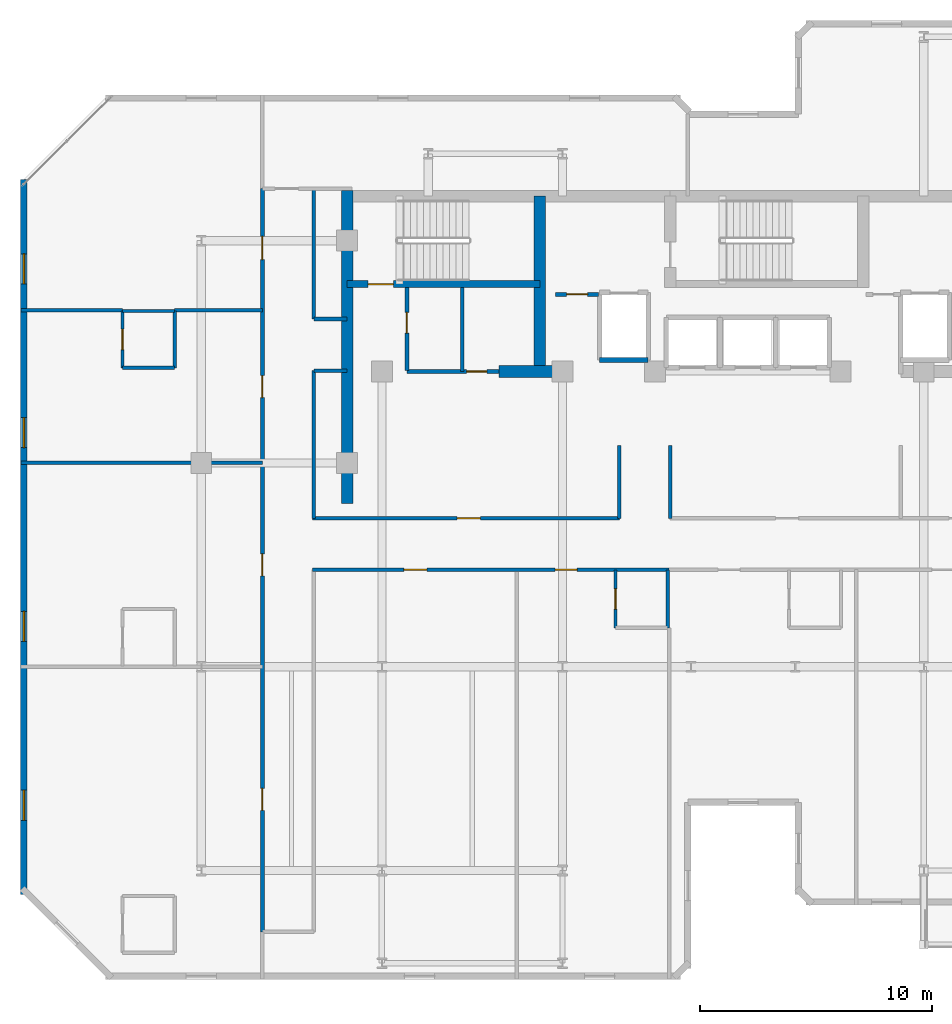
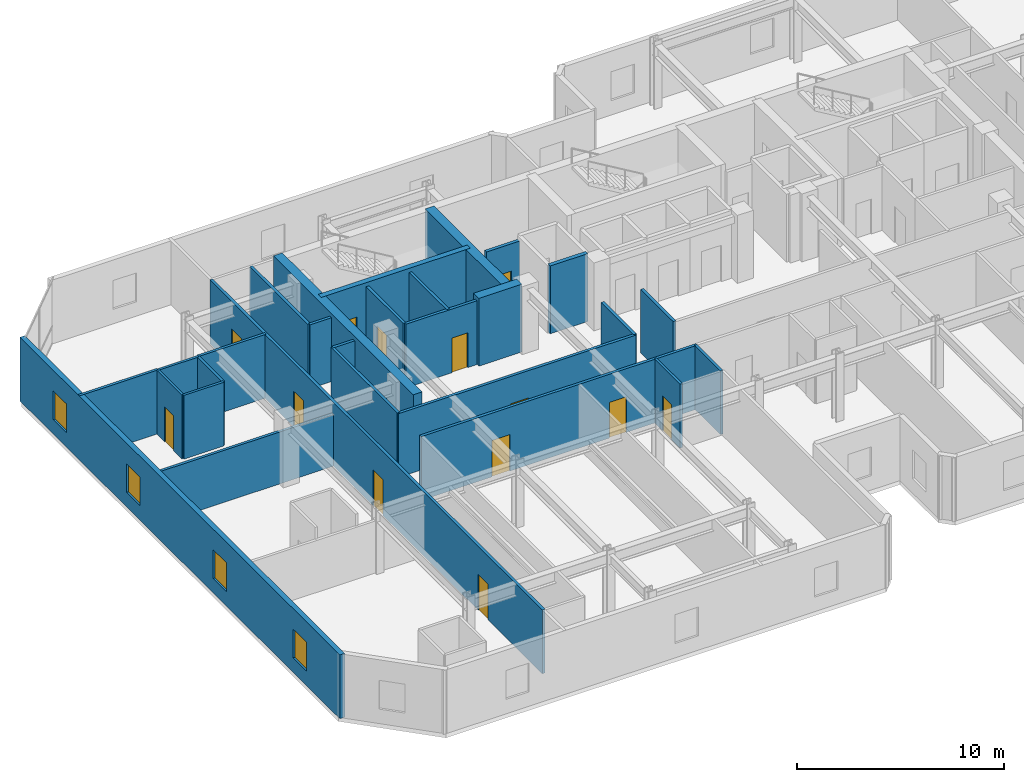
# One storey, part 4 of 11: 28 walls, 13 doors, 4 windows, 17 openings.
"""IFC4 building model written with IfcOpenShell, lengths in metres."""

from ifc_helpers import new_model, si_unit, direction, frame, frame_2d, origin, place, context, subcontext, project, spatial, rectangle, extrude, material, layer, layer_set, type_object, element, fill, save


model = new_model("IFC4")

# Units and contexts
model_context = context("Model", 3, precision=1e-05, world=origin(), true_north=direction((0.0, 1.0)))
body_context = subcontext(model_context, "Body", "Model", "MODEL_VIEW")
ifc_project = project(units=[si_unit("LENGTHUNIT", "METRE"), si_unit("AREAUNIT", "SQUARE_METRE"), si_unit("VOLUMEUNIT", "CUBIC_METRE"), si_unit("PLANEANGLEUNIT", "RADIAN"), si_unit("MASSUNIT", "GRAM", prefix="KILO")], contexts=[model_context])

# Site, building, storey
site_placement = place(None, origin())
site = spatial("IfcSite", under=ifc_project, at=site_placement, CompositionType="ELEMENT")
building_placement = place(site_placement, origin())
building = spatial("IfcBuilding", under=site, at=building_placement, Name="Kestravale Grand Hotel", CompositionType="ELEMENT")
storey_placement = place(building_placement, frame((0.0, 0.0, 265.39990234375)))
storey = spatial("IfcBuildingStorey", under=building, at=storey_placement, Name="L66", CompositionType="ELEMENT", Elevation=265.39990234375)

# Walls
ifc_material_1 = material(Name="Concrete f'c 50 MPa", Category="concrete")
ifc_layer_1 = layer(ifc_material_1, 0.5)
ifc_layer_set_1 = layer_set([ifc_layer_1], Name="EW-CORE-500")
wall_type_1 = type_object("IfcWallType", Name="EW-CORE-500", PredefinedType="SHEAR", material=ifc_layer_set_1)
wall_1_placement = place(storey_placement, frame((21.89990234375, 27.050048828125, 0.0), z_axis=(0.0, 0.0, 1.0), x_axis=(0.0, 1.0, 0.0)))
element("IfcWall", 1, at=wall_1_placement, inside=storey, type_object=wall_type_1, Name="L66 core shear wall W1", PredefinedType="SHEAR", context=body_context, shape_type="SweptSolid", body=[
    extrude(rectangle(XDim=13.52001953125, YDim=0.5, at=frame_2d((6.760009765625, 0.0))), origin(), (0.0, 0.0, 1.0), 4.0),
])
wall_2_placement = place(storey_placement, frame((28.449951171875, 32.75, 0.0), z_axis=(0.0, 0.0, 1.0), x_axis=(1.0, 0.0, 0.0)))
element("IfcWall", 2, at=wall_2_placement, inside=storey, type_object=wall_type_1, Name="L66 core shear wall S1", PredefinedType="SHEAR", context=body_context, shape_type="SweptSolid", body=[
    extrude(rectangle(XDim=2.400146484375, YDim=0.5, at=frame_2d((1.2001953125, 0.0))), origin(), (0.0, 0.0, 1.0), 4.0),
])
wall_3_placement = place(storey_placement, frame((30.219970703125, 33.0, 0.0), z_axis=(0.0, 0.0, 1.0), x_axis=(0.0, 1.0, 0.0)))
element("IfcWall", 3, at=wall_3_placement, inside=storey, type_object=wall_type_1, Name="L66 core shear wall X1", PredefinedType="SHEAR", context=body_context, shape_type="SweptSolid", body=[
    extrude(rectangle(XDim=7.320068359375, YDim=0.5, at=frame_2d((3.66015625, 0.0))), origin(), (0.0, 0.0, 1.0), 4.0),
])

# Wall, openings, windows
ifc_material_2 = material(Name="Precast concrete f'c 45 MPa", Category="concrete")
ifc_layer_2 = layer(ifc_material_2, 0.280029296875)
ifc_layer_set_2 = layer_set([ifc_layer_2], Name="EW-PREC-280")
wall_type_2 = type_object("IfcWallType", Name="EW-PREC-280", PredefinedType="SOLIDWALL", material=ifc_layer_set_2)
wall_4_placement = place(storey_placement, frame((7.93994140625, 41.0400390625, 0.0), z_axis=(0.0, 0.0, 1.0), x_axis=(0.0, -1.0, 0.0)))
wall_4 = element("IfcWall", 4, at=wall_4_placement, inside=storey, type_object=wall_type_2, Name="L66 fluted precast facade wall 19", PredefinedType="SOLIDWALL", context=body_context, shape_type="SweptSolid", body=[
    extrude(rectangle(XDim=30.880126953125, YDim=0.280029296875, at=frame_2d((15.43994140625, 0.0))), origin(), (0.0, 0.0, 1.0), 3.760009765625),
])
opening_1_placement = place(wall_4_placement, frame((3.2099609375, 0.0, 0.85009765625)))
opening_1 = element("IfcOpeningElement", 5, at=opening_1_placement, cuts=wall_4, Name="Opening W-GUEST-1300", PredefinedType="OPENING", context=body_context, shape_type="SweptSolid", body=[
    extrude(rectangle(XDim=1.300048828125, YDim=1.699951171875, at=frame_2d((0.64990234375, 0.85009765625))), frame((0.0, 0.14990234375, 0.0), z_axis=(0.0, -1.0, 0.0), x_axis=(1.0, 0.0, 0.0)), (0.0, 0.0, 1.0), 0.300048828125),
])
opening_2_placement = place(wall_4_placement, frame((10.280029296875, 0.0, 0.85009765625)))
opening_2 = element("IfcOpeningElement", 6, at=opening_2_placement, cuts=wall_4, Name="Opening W-GUEST-1300", PredefinedType="OPENING", context=body_context, shape_type="SweptSolid", body=[
    extrude(rectangle(XDim=1.300048828125, YDim=1.699951171875, at=frame_2d((0.64990234375, 0.85009765625))), frame((0.0, 0.14990234375, 0.0), z_axis=(0.0, -1.0, 0.0), x_axis=(1.0, 0.0, 0.0)), (0.0, 0.0, 1.0), 0.300048828125),
])
opening_3_placement = place(wall_4_placement, frame((18.64990234375, 0.0, 0.85009765625)))
opening_3 = element("IfcOpeningElement", 7, at=opening_3_placement, cuts=wall_4, Name="Opening W-GUEST-1300", PredefinedType="OPENING", context=body_context, shape_type="SweptSolid", body=[
    extrude(rectangle(XDim=1.300048828125, YDim=1.699951171875, at=frame_2d((0.64990234375, 0.85009765625))), frame((0.0, 0.14990234375, 0.0), z_axis=(0.0, -1.0, 0.0), x_axis=(1.0, 0.0, 0.0)), (0.0, 0.0, 1.0), 0.300048828125),
])
opening_4_placement = place(wall_4_placement, frame((26.3701171875, 0.0, 0.85009765625)))
opening_4 = element("IfcOpeningElement", 8, at=opening_4_placement, cuts=wall_4, Name="Opening W-GUEST-1300", PredefinedType="OPENING", context=body_context, shape_type="SweptSolid", body=[
    extrude(rectangle(XDim=1.300048828125, YDim=1.699951171875, at=frame_2d((0.64990234375, 0.85009765625))), frame((0.0, 0.14990234375, 0.0), z_axis=(0.0, -1.0, 0.0), x_axis=(1.0, 0.0, 0.0)), (0.0, 0.0, 1.0), 0.300048828125),
])
ifc_material_3 = material(Name="Insulated low-E double glazing in aluminium frame", Category="aluminium")
window_type = type_object("IfcWindowType", Name="W-GUEST-1300", PartitioningType="SINGLE_PANEL", PredefinedType="WINDOW", material=ifc_material_3)
window_1_placement = place(opening_1_placement, origin())
window_1 = element("IfcWindow", 9, at=window_1_placement, inside=storey, type_object=window_type, Name="L66 exterior window 19.1", OverallHeight=1.699951171875, OverallWidth=1.300048828125, PartitioningType="SINGLE_PANEL", PredefinedType="WINDOW", context=body_context, shape_type="SweptSolid", body=[
    extrude(rectangle(XDim=1.300048828125, YDim=1.699951171875, at=frame_2d((0.64990234375, 0.85009765625))), frame((0.0, 0.030029296875, 0.0), z_axis=(0.0, -1.0, 0.0), x_axis=(1.0, 0.0, 0.0)), (0.0, 0.0, 1.0), 0.06005859375),
])
fill(opening_1, window_1)
window_2_placement = place(opening_2_placement, origin())
window_2 = element("IfcWindow", 10, at=window_2_placement, inside=storey, type_object=window_type, Name="L66 exterior window 19.2", OverallHeight=1.699951171875, OverallWidth=1.300048828125, PartitioningType="SINGLE_PANEL", PredefinedType="WINDOW", context=body_context, shape_type="SweptSolid", body=[
    extrude(rectangle(XDim=1.300048828125, YDim=1.699951171875, at=frame_2d((0.64990234375, 0.85009765625))), frame((0.0, 0.030029296875, 0.0), z_axis=(0.0, -1.0, 0.0), x_axis=(1.0, 0.0, 0.0)), (0.0, 0.0, 1.0), 0.06005859375),
])
fill(opening_2, window_2)
window_3_placement = place(opening_3_placement, origin())
window_3 = element("IfcWindow", 11, at=window_3_placement, inside=storey, type_object=window_type, Name="L66 exterior window 19.3", OverallHeight=1.699951171875, OverallWidth=1.300048828125, PartitioningType="SINGLE_PANEL", PredefinedType="WINDOW", context=body_context, shape_type="SweptSolid", body=[
    extrude(rectangle(XDim=1.300048828125, YDim=1.699951171875, at=frame_2d((0.64990234375, 0.85009765625))), frame((0.0, 0.030029296875, 0.0), z_axis=(0.0, -1.0, 0.0), x_axis=(1.0, 0.0, 0.0)), (0.0, 0.0, 1.0), 0.06005859375),
])
fill(opening_3, window_3)
window_4_placement = place(opening_4_placement, origin())
window_4 = element("IfcWindow", 12, at=window_4_placement, inside=storey, type_object=window_type, Name="L66 exterior window 19.4", OverallHeight=1.699951171875, OverallWidth=1.300048828125, PartitioningType="SINGLE_PANEL", PredefinedType="WINDOW", context=body_context, shape_type="SweptSolid", body=[
    extrude(rectangle(XDim=1.300048828125, YDim=1.699951171875, at=frame_2d((0.64990234375, 0.85009765625))), frame((0.0, 0.030029296875, 0.0), z_axis=(0.0, -1.0, 0.0), x_axis=(1.0, 0.0, 0.0)), (0.0, 0.0, 1.0), 0.06005859375),
])
fill(opening_4, window_4)

# Wall, opening, door
ifc_material_4 = material(Name="Concrete f'c 45 MPa", Category="concrete")
ifc_layer_3 = layer(ifc_material_4, 0.300048828125)
ifc_layer_set_3 = layer_set([ifc_layer_3], Name="EW-STAIR-300")
wall_type_3 = type_object("IfcWallType", Name="EW-STAIR-300", PredefinedType="SHEAR", material=ifc_layer_set_3)
wall_5_placement = place(storey_placement, frame((21.89990234375, 36.52001953125, 0.0), z_axis=(0.0, 0.0, 1.0), x_axis=(1.0, 0.0, 0.0)))
wall_5 = element("IfcWall", 13, at=wall_5_placement, inside=storey, type_object=wall_type_3, Name="L66 stair enclosure shear wall SST1", PredefinedType="SHEAR", context=body_context, shape_type="SweptSolid", body=[
    extrude(rectangle(XDim=8.320068359375, YDim=0.300048828125, at=frame_2d((4.16015625, 0.0))), origin(), (0.0, 0.0, 1.0), 4.0),
])
opening_5_placement = place(wall_5_placement, frame((0.89990234375, 0.0, 0.0)))
opening_5 = element("IfcOpeningElement", 14, at=opening_5_placement, cuts=wall_5, Name="Opening D-ST-1100", PredefinedType="OPENING", context=body_context, shape_type="SweptSolid", body=[
    extrude(rectangle(XDim=1.10009765625, YDim=2.14990234375, at=frame_2d((0.550048828125, 1.074951171875))), frame((0.0, 0.159912109375, 0.0), z_axis=(0.0, -1.0, 0.0), x_axis=(1.0, 0.0, 0.0)), (0.0, 0.0, 1.0), 0.320068359375),
])
ifc_material_5 = material(Name="Galvanised 90-minute fire-rated steel stair door", Category="steel")
door_type_1 = type_object("IfcDoorType", Name="D-ST-1100", OperationType="NOTDEFINED", PredefinedType="DOOR", material=ifc_material_5)
door_1_placement = place(opening_5_placement, origin())
door_1 = element("IfcDoor", 15, at=door_1_placement, inside=storey, type_object=door_type_1, Name="L66 Stair ST-1 fire door", OperationType="SINGLE_SWING_RIGHT", OverallHeight=2.14990234375, OverallWidth=1.10009765625, PredefinedType="DOOR", context=body_context, shape_type="SweptSolid", body=[
    extrude(rectangle(XDim=1.10009765625, YDim=2.14990234375, at=frame_2d((0.550048828125, 1.074951171875))), frame((0.0, 0.02490234375, 0.0), z_axis=(0.0, -1.0, 0.0), x_axis=(1.0, 0.0, 0.0)), (0.0, 0.0, 1.0), 0.050048828125),
])
fill(opening_5, door_1)

ifc_material_6 = material(Name="Acoustic fire-rated gypsum board partition", Category="other")
ifc_layer_4 = layer(ifc_material_6, 0.159912109375)
ifc_layer_set_4 = layer_set([ifc_layer_4], Name="IW-CORR-160")
wall_type_4 = type_object("IfcWallType", Name="IW-CORR-160", PredefinedType="PARTITIONING", material=ifc_layer_set_4)
wall_6_placement = place(storey_placement, frame((24.47998046875, 32.800048828125, 0.0), z_axis=(0.0, 0.0, 1.0), x_axis=(0.0, 1.0, 0.0)))
wall_6 = element("IfcWall", 16, at=wall_6_placement, inside=storey, type_object=wall_type_4, Name="L66 west core vestibule wall", PredefinedType="PARTITIONING", context=body_context, shape_type="SweptSolid", body=[
    extrude(rectangle(XDim=3.570068359375, YDim=0.159912109375, at=frame_2d((1.78515625, 0.0))), origin(), (0.0, 0.0, 1.0), 3.760009765625),
])
opening_6_placement = place(wall_6_placement, frame((1.603515625, 0.0, 0.0)))
opening_6 = element("IfcOpeningElement", 17, at=opening_6_placement, cuts=wall_6, Name="Opening D-SH-900", PredefinedType="OPENING", context=body_context, shape_type="SweptSolid", body=[
    extrude(rectangle(XDim=0.89990234375, YDim=2.10009765625, at=frame_2d((0.449951171875, 1.050048828125))), frame((0.0, 0.08984375, 0.0), z_axis=(0.0, -1.0, 0.0), x_axis=(1.0, 0.0, 0.0)), (0.0, 0.0, 1.0), 0.179931640625),
])
ifc_material_7 = material(Name="Galvanised 90-minute shaft and service fire door", Category="steel")
door_type_2 = type_object("IfcDoorType", Name="D-SH-900", OperationType="NOTDEFINED", PredefinedType="DOOR", material=ifc_material_7)
door_2_placement = place(opening_6_placement, origin())
door_2 = element("IfcDoor", 18, at=door_2_placement, inside=storey, type_object=door_type_2, Name="D-L66-HK", OperationType="SINGLE_SWING_RIGHT", OverallHeight=2.10009765625, OverallWidth=0.89990234375, PredefinedType="DOOR", context=body_context, shape_type="SweptSolid", body=[
    extrude(rectangle(XDim=0.89990234375, YDim=2.10009765625, at=frame_2d((0.449951171875, 1.050048828125))), frame((0.0, 0.02490234375, 0.0), z_axis=(0.0, -1.0, 0.0), x_axis=(1.0, 0.0, 0.0)), (0.0, 0.0, 1.0), 0.050048828125),
])
fill(opening_6, door_2)

wall_7_placement = place(storey_placement, frame((24.47998046875, 32.75, 0.0), z_axis=(0.0, 0.0, 1.0), x_axis=(1.0, 0.0, 0.0)))
wall_7 = element("IfcWall", 19, at=wall_7_placement, inside=storey, type_object=wall_type_4, Name="W-L66-CWS", PredefinedType="PARTITIONING", context=body_context, shape_type="SweptSolid", body=[
    extrude(rectangle(XDim=3.969970703125, YDim=0.159912109375, at=frame_2d((1.98486328125, 0.0))), origin(), (0.0, 0.0, 1.0), 3.760009765625),
])
opening_7_placement = place(wall_7_placement, frame((2.574951171875, 0.0, 0.0)))
opening_7 = element("IfcOpeningElement", 20, at=opening_7_placement, cuts=wall_7, Name="Opening D-BATH-880", PredefinedType="OPENING", context=body_context, shape_type="SweptSolid", body=[
    extrude(rectangle(XDim=0.8798828125, YDim=2.050048828125, at=frame_2d((0.43994140625, 1.02490234375))), frame((0.0, 0.08984375, 0.0), z_axis=(0.0, -1.0, 0.0), x_axis=(1.0, 0.0, 0.0)), (0.0, 0.0, 1.0), 0.179931640625),
])
ifc_material_8 = material(Name="Moisture-sealed walnut en-suite bathroom door", Category="wood")
door_type_3 = type_object("IfcDoorType", Name="D-BATH-880", OperationType="NOTDEFINED", PredefinedType="DOOR", material=ifc_material_8)
door_3_placement = place(opening_7_placement, origin())
door_3 = element("IfcDoor", 21, at=door_3_placement, inside=storey, type_object=door_type_3, Name="D-L66-SWC", OperationType="SINGLE_SWING_RIGHT", OverallHeight=2.050048828125, OverallWidth=0.8798828125, PredefinedType="DOOR", context=body_context, shape_type="SweptSolid", body=[
    extrude(rectangle(XDim=0.8798828125, YDim=2.050048828125, at=frame_2d((0.43994140625, 1.02490234375))), frame((0.0, 0.02490234375, 0.0), z_axis=(0.0, -1.0, 0.0), x_axis=(1.0, 0.0, 0.0)), (0.0, 0.0, 1.0), 0.050048828125),
])
fill(opening_7, door_3)

wall_8_placement = place(storey_placement, frame((20.39990234375, 26.409912109375, 0.0), z_axis=(0.0, 0.0, 1.0), x_axis=(1.0, 0.0, 0.0)))
wall_8 = element("IfcWall", 22, at=wall_8_placement, inside=storey, type_object=wall_type_4, Name="W-L66-CW-N", PredefinedType="PARTITIONING", context=body_context, shape_type="SweptSolid", body=[
    extrude(rectangle(XDim=13.25, YDim=0.159912109375, at=frame_2d((6.625, 0.0))), origin(), (0.0, 0.0, 1.0), 3.760009765625),
])
opening_8_placement = place(wall_8_placement, frame((6.25, 0.0, 0.0)))
opening_8 = element("IfcOpeningElement", 23, at=opening_8_placement, cuts=wall_8, Name="Opening D-GUEST-1000", PredefinedType="OPENING", context=body_context, shape_type="SweptSolid", body=[
    extrude(rectangle(XDim=1.0, YDim=2.14990234375, at=frame_2d((0.5, 1.074951171875))), frame((0.0, 0.08984375, 0.0), z_axis=(0.0, -1.0, 0.0), x_axis=(1.0, 0.0, 0.0)), (0.0, 0.0, 1.0), 0.179931640625),
])
ifc_material_9 = material(Name="Accessible walnut veneer hotel entrance fire door", Category="wood")
door_type_4 = type_object("IfcDoorType", Name="D-GUEST-1000", OperationType="NOTDEFINED", PredefinedType="DOOR", material=ifc_material_9)
door_4_placement = place(opening_8_placement, origin())
door_4 = element("IfcDoor", 24, at=door_4_placement, inside=storey, type_object=door_type_4, Name="D-L66-RECL-W", OperationType="SINGLE_SWING_LEFT", OverallHeight=2.14990234375, OverallWidth=1.0, PredefinedType="DOOR", context=body_context, shape_type="SweptSolid", body=[
    extrude(rectangle(XDim=1.0, YDim=2.14990234375, at=frame_2d((0.5, 1.074951171875))), frame((0.0, 0.02490234375, 0.0), z_axis=(0.0, -1.0, 0.0), x_axis=(1.0, 0.0, 0.0)), (0.0, 0.0, 1.0), 0.050048828125),
])
fill(opening_8, door_4)

# Walls
for number, where, z_axis, x_axis, name in (
    (25, (33.64990234375, 26.409912109375, 0.0), (0.0, 0.0, 1.0), (0.0, 1.0, 0.0), "W-L66-TRUNK-W"),
    (26, (35.85009765625, 26.409912109375, 0.0), (0.0, 0.0, 1.0), (0.0, 1.0, 0.0), "W-L66-TRUNK-E"),
):
    element("IfcWall", number, at=place(storey_placement, frame(where, z_axis=z_axis, x_axis=x_axis)), inside=storey, type_object=wall_type_4, Name=name, PredefinedType="PARTITIONING", context=body_context, shape_type="SweptSolid", body=[
        extrude(rectangle(XDim=3.14013671875, YDim=0.159912109375, at=frame_2d((1.570068359375, 0.0))), origin(), (0.0, 0.0, 1.0), 3.760009765625),
    ])

# Wall, openings, doors
wall_9_placement = place(storey_placement, frame((20.39990234375, 24.18994140625, 0.0), z_axis=(0.0, 0.0, 1.0), x_axis=(1.0, 0.0, 0.0)))
wall_9 = element("IfcWall", 27, at=wall_9_placement, inside=storey, type_object=wall_type_4, Name="W-L66-CW-S", PredefinedType="PARTITIONING", context=body_context, shape_type="SweptSolid", body=[
    extrude(rectangle(XDim=15.400146484375, YDim=0.159912109375, at=frame_2d((7.7001953125, 0.0))), origin(), (0.0, 0.0, 1.0), 3.760009765625),
])
opening_9_placement = place(wall_9_placement, frame((3.945068359375, 0.0, 0.0)))
opening_9 = element("IfcOpeningElement", 28, at=opening_9_placement, cuts=wall_9, Name="Opening D-GUEST-1000", PredefinedType="OPENING", context=body_context, shape_type="SweptSolid", body=[
    extrude(rectangle(XDim=1.0, YDim=2.14990234375, at=frame_2d((0.5, 1.074951171875))), frame((0.0, 0.08984375, 0.0), z_axis=(0.0, -1.0, 0.0), x_axis=(1.0, 0.0, 0.0)), (0.0, 0.0, 1.0), 0.179931640625),
])
opening_10_placement = place(wall_9_placement, frame((10.485107421875, 0.0, 0.0)))
opening_10 = element("IfcOpeningElement", 29, at=opening_10_placement, cuts=wall_9, Name="Opening D-GUEST-950", PredefinedType="OPENING", context=body_context, shape_type="SweptSolid", body=[
    extrude(rectangle(XDim=0.949951171875, YDim=2.10009765625, at=frame_2d((0.47509765625, 1.050048828125))), frame((0.0, 0.08984375, 0.0), z_axis=(0.0, -1.0, 0.0), x_axis=(1.0, 0.0, 0.0)), (0.0, 0.0, 1.0), 0.179931640625),
])
door_5_placement = place(opening_9_placement, origin())
door_5 = element("IfcDoor", 30, at=door_5_placement, inside=storey, type_object=door_type_4, Name="D-L66-AMW", OperationType="SINGLE_SWING_RIGHT", OverallHeight=2.14990234375, OverallWidth=1.0, PredefinedType="DOOR", context=body_context, shape_type="SweptSolid", body=[
    extrude(rectangle(XDim=1.0, YDim=2.14990234375, at=frame_2d((0.5, 1.074951171875))), frame((0.0, 0.02490234375, 0.0), z_axis=(0.0, -1.0, 0.0), x_axis=(1.0, 0.0, 0.0)), (0.0, 0.0, 1.0), 0.050048828125),
])
fill(opening_9, door_5)
ifc_material_10 = material(Name="Walnut veneer hotel guestroom entrance fire door", Category="wood")
door_type_5 = type_object("IfcDoorType", Name="D-GUEST-950", OperationType="NOTDEFINED", PredefinedType="DOOR", material=ifc_material_10)
door_6_placement = place(opening_10_placement, origin())
door_6 = element("IfcDoor", 31, at=door_6_placement, inside=storey, type_object=door_type_5, Name="D-L66-U01-ENT", OperationType="SINGLE_SWING_RIGHT", OverallHeight=2.10009765625, OverallWidth=0.949951171875, PredefinedType="DOOR", context=body_context, shape_type="SweptSolid", body=[
    extrude(rectangle(XDim=0.949951171875, YDim=2.10009765625, at=frame_2d((0.47509765625, 1.050048828125))), frame((0.0, 0.02490234375, 0.0), z_axis=(0.0, -1.0, 0.0), x_axis=(1.0, 0.0, 0.0)), (0.0, 0.0, 1.0), 0.050048828125),
])
fill(opening_10, door_6)

wall_10_placement = place(storey_placement, frame((18.239990234375, 8.550048828125, 0.0), z_axis=(0.0, 0.0, 1.0), x_axis=(0.0, 1.0, 0.0)))
wall_10 = element("IfcWall", 32, at=wall_10_placement, inside=storey, type_object=wall_type_4, Name="W-L66-SW-W", PredefinedType="PARTITIONING", context=body_context, shape_type="SweptSolid", body=[
    extrude(rectangle(XDim=32.099853515625, YDim=0.159912109375, at=frame_2d((16.0498046875, 0.0))), origin(), (0.0, 0.0, 1.0), 3.760009765625),
])
opening_11_placement = place(wall_10_placement, frame((5.25, 0.0, 0.0)))
opening_11 = element("IfcOpeningElement", 33, at=opening_11_placement, cuts=wall_10, Name="Opening D-GUEST-950", PredefinedType="OPENING", context=body_context, shape_type="SweptSolid", body=[
    extrude(rectangle(XDim=0.949951171875, YDim=2.10009765625, at=frame_2d((0.47509765625, 1.050048828125))), frame((0.0, 0.08984375, 0.0), z_axis=(0.0, -1.0, 0.0), x_axis=(1.0, 0.0, 0.0)), (0.0, 0.0, 1.0), 0.179931640625),
])
opening_12_placement = place(wall_10_placement, frame((15.375, 0.0, 0.0)))
opening_12 = element("IfcOpeningElement", 34, at=opening_12_placement, cuts=wall_10, Name="Opening D-GUEST-950", PredefinedType="OPENING", context=body_context, shape_type="SweptSolid", body=[
    extrude(rectangle(XDim=0.949951171875, YDim=2.10009765625, at=frame_2d((0.47509765625, 1.050048828125))), frame((0.0, 0.08984375, 0.0), z_axis=(0.0, -1.0, 0.0), x_axis=(1.0, 0.0, 0.0)), (0.0, 0.0, 1.0), 0.179931640625),
])
opening_13_placement = place(wall_10_placement, frame((23.074951171875, 0.0, 0.0)))
opening_13 = element("IfcOpeningElement", 35, at=opening_13_placement, cuts=wall_10, Name="Opening D-GUEST-950", PredefinedType="OPENING", context=body_context, shape_type="SweptSolid", body=[
    extrude(rectangle(XDim=0.949951171875, YDim=2.10009765625, at=frame_2d((0.47509765625, 1.050048828125))), frame((0.0, 0.08984375, 0.0), z_axis=(0.0, -1.0, 0.0), x_axis=(1.0, 0.0, 0.0)), (0.0, 0.0, 1.0), 0.179931640625),
])
opening_14_placement = place(wall_10_placement, frame((29.030029296875, 0.0, 0.0)))
opening_14 = element("IfcOpeningElement", 36, at=opening_14_placement, cuts=wall_10, Name="Opening D-GUEST-1000", PredefinedType="OPENING", context=body_context, shape_type="SweptSolid", body=[
    extrude(rectangle(XDim=1.0, YDim=2.14990234375, at=frame_2d((0.5, 1.074951171875))), frame((0.0, 0.08984375, 0.0), z_axis=(0.0, -1.0, 0.0), x_axis=(1.0, 0.0, 0.0)), (0.0, 0.0, 1.0), 0.179931640625),
])
door_7_placement = place(opening_14_placement, origin())
door_7 = element("IfcDoor", 37, at=door_7_placement, inside=storey, type_object=door_type_4, Name="D-L66-AMWW", OperationType="SINGLE_SWING_RIGHT", OverallHeight=2.14990234375, OverallWidth=1.0, PredefinedType="DOOR", context=body_context, shape_type="SweptSolid", body=[
    extrude(rectangle(XDim=1.0, YDim=2.14990234375, at=frame_2d((0.5, 1.074951171875))), frame((0.0, 0.02490234375, 0.0), z_axis=(0.0, -1.0, 0.0), x_axis=(1.0, 0.0, 0.0)), (0.0, 0.0, 1.0), 0.050048828125),
])
fill(opening_14, door_7)
door_8_placement = place(opening_11_placement, origin())
door_8 = element("IfcDoor", 38, at=door_8_placement, inside=storey, type_object=door_type_5, Name="D-L66-U04-ENT", OperationType="SINGLE_SWING_LEFT", OverallHeight=2.10009765625, OverallWidth=0.949951171875, PredefinedType="DOOR", context=body_context, shape_type="SweptSolid", body=[
    extrude(rectangle(XDim=0.949951171875, YDim=2.10009765625, at=frame_2d((0.47509765625, 1.050048828125))), frame((0.0, 0.02490234375, 0.0), z_axis=(0.0, -1.0, 0.0), x_axis=(1.0, 0.0, 0.0)), (0.0, 0.0, 1.0), 0.050048828125),
])
fill(opening_11, door_8)
door_9_placement = place(opening_12_placement, origin())
door_9 = element("IfcDoor", 39, at=door_9_placement, inside=storey, type_object=door_type_5, Name="D-L66-U05-ENT", OperationType="SINGLE_SWING_LEFT", OverallHeight=2.10009765625, OverallWidth=0.949951171875, PredefinedType="DOOR", context=body_context, shape_type="SweptSolid", body=[
    extrude(rectangle(XDim=0.949951171875, YDim=2.10009765625, at=frame_2d((0.47509765625, 1.050048828125))), frame((0.0, 0.02490234375, 0.0), z_axis=(0.0, -1.0, 0.0), x_axis=(1.0, 0.0, 0.0)), (0.0, 0.0, 1.0), 0.050048828125),
])
fill(opening_12, door_9)
door_10_placement = place(opening_13_placement, origin())
door_10 = element("IfcDoor", 40, at=door_10_placement, inside=storey, type_object=door_type_5, Name="D-L66-U06-ENT", OperationType="SINGLE_SWING_LEFT", OverallHeight=2.10009765625, OverallWidth=0.949951171875, PredefinedType="DOOR", context=body_context, shape_type="SweptSolid", body=[
    extrude(rectangle(XDim=0.949951171875, YDim=2.10009765625, at=frame_2d((0.47509765625, 1.050048828125))), frame((0.0, 0.02490234375, 0.0), z_axis=(0.0, -1.0, 0.0), x_axis=(1.0, 0.0, 0.0)), (0.0, 0.0, 1.0), 0.050048828125),
])
fill(opening_13, door_10)

# Walls
wall_11_placement = place(storey_placement, frame((20.4599609375, 35.02001953125, 0.0), z_axis=(0.0, 0.0, 1.0), x_axis=(0.0, 1.0, 0.0)))
element("IfcWall", 41, at=wall_11_placement, inside=storey, type_object=wall_type_4, Name="W-L66-SW-EN", PredefinedType="PARTITIONING", context=body_context, shape_type="SweptSolid", body=[
    extrude(rectangle(XDim=5.6298828125, YDim=0.159912109375, at=frame_2d((2.81494140625, 0.0))), origin(), (0.0, 0.0, 1.0), 3.760009765625),
])
for number, where, z_axis, x_axis, name in (
    (42, (20.4599609375, 35.02001953125, 0.0), (0.0, 0.0, 1.0), (1.0, 0.0, 0.0), "W-L66-SW-CN"),
    (43, (20.4599609375, 32.780029296875, 0.0), (0.0, 0.0, 1.0), (1.0, 0.0, 0.0), "W-L66-SW-CS"),
):
    element("IfcWall", number, at=place(storey_placement, frame(where, z_axis=z_axis, x_axis=x_axis)), inside=storey, type_object=wall_type_4, Name=name, PredefinedType="PARTITIONING", context=body_context, shape_type="SweptSolid", body=[
        extrude(rectangle(XDim=1.43994140625, YDim=0.159912109375, at=frame_2d((0.719970703125, 0.0))), origin(), (0.0, 0.0, 1.0), 3.760009765625),
    ])

# Wall, opening, door
ifc_material_11 = material(Name="Fire-rated gypsum board on steel studs with mineral wool", Category="steel")
ifc_layer_5 = layer(ifc_material_11, 0.179931640625)
ifc_layer_set_5 = layer_set([ifc_layer_5], Name="IW-FSAE-180")
wall_type_5 = type_object("IfcWallType", Name="IW-FSAE-180", PredefinedType="PARTITIONING", material=ifc_layer_set_5)
wall_12_placement = place(storey_placement, frame((30.89990234375, 36.080078125, 0.0), z_axis=(0.0, 0.0, 1.0), x_axis=(1.0, 0.0, 0.0)))
wall_12 = element("IfcWall", 44, at=wall_12_placement, inside=storey, type_object=wall_type_5, Name="L66 FSAE Lobby 1 smoke barrier", PredefinedType="PARTITIONING", context=body_context, shape_type="SweptSolid", body=[
    extrude(rectangle(XDim=1.85009765625, YDim=0.179931640625, at=frame_2d((0.925048828125, 0.0))), origin(), (0.0, 0.0, 1.0), 3.760009765625),
])
opening_15_placement = place(wall_12_placement, frame((0.47998046875, 0.0, 0.0)))
opening_15 = element("IfcOpeningElement", 45, at=opening_15_placement, cuts=wall_12, Name="Opening D-FSAE-1000", PredefinedType="OPENING", context=body_context, shape_type="SweptSolid", body=[
    extrude(rectangle(XDim=0.89990234375, YDim=2.14990234375, at=frame_2d((0.449951171875, 1.074951171875))), frame((0.0, 0.099853515625, 0.0), z_axis=(0.0, -1.0, 0.0), x_axis=(1.0, 0.0, 0.0)), (0.0, 0.0, 1.0), 0.199951171875),
])
ifc_material_12 = material(Name="Smoke-gasketed FSAE lobby fire door", Category="steel")
door_type_6 = type_object("IfcDoorType", Name="D-FSAE-1000", OperationType="NOTDEFINED", PredefinedType="DOOR", material=ifc_material_12)
door_11_placement = place(opening_15_placement, origin())
door_11 = element("IfcDoor", 46, at=door_11_placement, inside=storey, type_object=door_type_6, Name="L66 FSAE Lobby 1 fire door", OperationType="SINGLE_SWING_RIGHT", OverallHeight=2.14990234375, OverallWidth=0.89990234375, PredefinedType="DOOR", context=body_context, shape_type="SweptSolid", body=[
    extrude(rectangle(XDim=0.89990234375, YDim=2.14990234375, at=frame_2d((0.449951171875, 1.074951171875))), frame((0.0, 0.02490234375, 0.0), z_axis=(0.0, -1.0, 0.0), x_axis=(1.0, 0.0, 0.0)), (0.0, 0.0, 1.0), 0.050048828125),
])
fill(opening_15, door_11)

ifc_material_13 = material(Name="Moisture-resistant tile-backer plumbing chase wall", Category="other")
ifc_layer_6 = layer(ifc_material_13, 0.139892578125)
ifc_layer_set_6 = layer_set([ifc_layer_6], Name="IW-PLB-140")
wall_type_6 = type_object("IfcWallType", Name="IW-PLB-140", PredefinedType="PLUMBINGWALL", material=ifc_layer_set_6)
wall_13_placement = place(storey_placement, frame((33.489990234375, 21.679931640625, 0.0), z_axis=(0.0, 0.0, 1.0), x_axis=(0.0, 1.0, 0.0)))
wall_13 = element("IfcWall", 47, at=wall_13_placement, inside=storey, type_object=wall_type_6, Name="W-L66-U01-BW", PredefinedType="PLUMBINGWALL", context=body_context, shape_type="SweptSolid", body=[
    extrude(rectangle(XDim=2.489990234375, YDim=0.139892578125, at=frame_2d((1.2451171875, 0.0))), origin(), (0.0, 0.0, 1.0), 3.760009765625),
])
opening_16_placement = place(wall_13_placement, frame((0.804931640625, 0.0, 0.0)))
opening_16 = element("IfcOpeningElement", 48, at=opening_16_placement, cuts=wall_13, Name="Opening D-BATH-880", PredefinedType="OPENING", context=body_context, shape_type="SweptSolid", body=[
    extrude(rectangle(XDim=0.8798828125, YDim=2.050048828125, at=frame_2d((0.43994140625, 1.02490234375))), frame((0.0, 0.079833984375, 0.0), z_axis=(0.0, -1.0, 0.0), x_axis=(1.0, 0.0, 0.0)), (0.0, 0.0, 1.0), 0.159912109375),
])
door_12_placement = place(opening_16_placement, origin())
door_12 = element("IfcDoor", 49, at=door_12_placement, inside=storey, type_object=door_type_3, Name="D-L66-U01-BATH", OperationType="SINGLE_SWING_LEFT", OverallHeight=2.050048828125, OverallWidth=0.8798828125, PredefinedType="DOOR", context=body_context, shape_type="SweptSolid", body=[
    extrude(rectangle(XDim=0.8798828125, YDim=2.050048828125, at=frame_2d((0.43994140625, 1.02490234375))), frame((0.0, 0.02490234375, 0.0), z_axis=(0.0, -1.0, 0.0), x_axis=(1.0, 0.0, 0.0)), (0.0, 0.0, 1.0), 0.050048828125),
])
fill(opening_16, door_12)

# Wall
wall_14_placement = place(storey_placement, frame((35.739990234375, 21.679931640625, 0.0), z_axis=(0.0, 0.0, 1.0), x_axis=(0.0, 1.0, 0.0)))
element("IfcWall", 50, at=wall_14_placement, inside=storey, type_object=wall_type_6, Name="W-L66-U01-BE", PredefinedType="PLUMBINGWALL", context=body_context, shape_type="SweptSolid", body=[
    extrude(rectangle(XDim=2.489990234375, YDim=0.139892578125, at=frame_2d((1.2451171875, 0.0))), origin(), (0.0, 0.0, 1.0), 3.760009765625),
])

# Wall, opening, door
wall_15_placement = place(storey_placement, frame((12.199951171875, 32.909912109375, 0.0), z_axis=(0.0, 0.0, 1.0), x_axis=(0.0, 1.0, 0.0)))
wall_15 = element("IfcWall", 51, at=wall_15_placement, inside=storey, type_object=wall_type_6, Name="W-L66-U06-BW", PredefinedType="PLUMBINGWALL", context=body_context, shape_type="SweptSolid", body=[
    extrude(rectangle(XDim=2.4501953125, YDim=0.139892578125, at=frame_2d((1.22509765625, 0.0))), origin(), (0.0, 0.0, 1.0), 3.760009765625),
])
opening_17_placement = place(wall_15_placement, frame((0.784912109375, 0.0, 0.0)))
opening_17 = element("IfcOpeningElement", 52, at=opening_17_placement, cuts=wall_15, Name="Opening D-BATH-880", PredefinedType="OPENING", context=body_context, shape_type="SweptSolid", body=[
    extrude(rectangle(XDim=0.8798828125, YDim=2.050048828125, at=frame_2d((0.43994140625, 1.02490234375))), frame((0.0, 0.079833984375, 0.0), z_axis=(0.0, -1.0, 0.0), x_axis=(1.0, 0.0, 0.0)), (0.0, 0.0, 1.0), 0.159912109375),
])
door_13_placement = place(opening_17_placement, origin())
door_13 = element("IfcDoor", 53, at=door_13_placement, inside=storey, type_object=door_type_3, Name="D-L66-U06-BATH", OperationType="SINGLE_SWING_RIGHT", OverallHeight=2.050048828125, OverallWidth=0.8798828125, PredefinedType="DOOR", context=body_context, shape_type="SweptSolid", body=[
    extrude(rectangle(XDim=0.8798828125, YDim=2.050048828125, at=frame_2d((0.43994140625, 1.02490234375))), frame((0.0, 0.02490234375, 0.0), z_axis=(0.0, -1.0, 0.0), x_axis=(1.0, 0.0, 0.0)), (0.0, 0.0, 1.0), 0.050048828125),
])
fill(opening_17, door_13)

# Walls
wall_16_placement = place(storey_placement, frame((14.449951171875, 32.909912109375, 0.0), z_axis=(0.0, 0.0, 1.0), x_axis=(0.0, 1.0, 0.0)))
element("IfcWall", 54, at=wall_16_placement, inside=storey, type_object=wall_type_6, Name="W-L66-U06-BE", PredefinedType="PLUMBINGWALL", context=body_context, shape_type="SweptSolid", body=[
    extrude(rectangle(XDim=2.4501953125, YDim=0.139892578125, at=frame_2d((1.22509765625, 0.0))), origin(), (0.0, 0.0, 1.0), 3.760009765625),
])
for number, where, z_axis, x_axis, name in (
    (55, (12.199951171875, 32.909912109375, 0.0), (0.0, 0.0, 1.0), (1.0, 0.0, 0.0), "W-L66-U06-BS"),
    (56, (12.199951171875, 35.360107421875, 0.0), (0.0, 0.0, 1.0), (1.0, 0.0, 0.0), "W-L66-U06-BN"),
):
    element("IfcWall", number, at=place(storey_placement, frame(where, z_axis=z_axis, x_axis=x_axis)), inside=storey, type_object=wall_type_6, Name=name, PredefinedType="PLUMBINGWALL", context=body_context, shape_type="SweptSolid", body=[
        extrude(rectangle(XDim=2.25, YDim=0.139892578125, at=frame_2d((1.125, 0.0))), origin(), (0.0, 0.0, 1.0), 3.760009765625),
    ])
ifc_material_14 = material(Name="Concrete f'c 45 MPa", Category="concrete")
ifc_layer_7 = layer(ifc_material_14, 0.219970703125)
ifc_layer_set_7 = layer_set([ifc_layer_7], Name="IW-SHAFT-220")
wall_type_7 = type_object("IfcWallType", Name="IW-SHAFT-220", PredefinedType="SHEAR", material=ifc_layer_set_7)
wall_17_placement = place(storey_placement, frame((32.804931640625, 33.2451171875, 0.0), z_axis=(0.0, 0.0, 1.0), x_axis=(1.0, 0.0, 0.0)))
element("IfcWall", 57, at=wall_17_placement, inside=storey, type_object=wall_type_7, Name="L66 FL-1 south shaft wall", PredefinedType="SHEAR", context=body_context, shape_type="SweptSolid", body=[
    extrude(rectangle(XDim=2.090087890625, YDim=0.219970703125, at=frame_2d((1.044921875, 0.0))), origin(), (0.0, 0.0, 1.0), 4.0),
])
ifc_material_15 = material(Name="Double-stud STC 52 acoustic demising partition", Category="other")
ifc_layer_8 = layer(ifc_material_15, 0.14990234375)
ifc_layer_set_8 = layer_set([ifc_layer_8], Name="IW-UNIT-150")
wall_type_8 = type_object("IfcWallType", Name="IW-UNIT-150", PredefinedType="PARTITIONING", material=ifc_layer_set_8)
wall_18_placement = place(storey_placement, frame((26.8798828125, 32.75, 0.0), z_axis=(0.0, 0.0, 1.0), x_axis=(0.0, 1.0, 0.0)))
element("IfcWall", 58, at=wall_18_placement, inside=storey, type_object=wall_type_8, Name="W-L66-CC3-V", PredefinedType="PARTITIONING", context=body_context, shape_type="SweptSolid", body=[
    extrude(rectangle(XDim=3.6201171875, YDim=0.14990234375, at=frame_2d((1.81005859375, 0.0))), origin(), (0.0, 0.0, 1.0), 3.760009765625),
])
wall_19_placement = place(storey_placement, frame((20.4599609375, 26.409912109375, 0.0), z_axis=(0.0, 0.0, 1.0), x_axis=(0.0, 1.0, 0.0)))
element("IfcWall", 59, at=wall_19_placement, inside=storey, type_object=wall_type_8, Name="W-L66-RCLW-W", PredefinedType="PARTITIONING", context=body_context, shape_type="SweptSolid", body=[
    extrude(rectangle(XDim=6.39013671875, YDim=0.14990234375, at=frame_2d((3.195068359375, 0.0))), origin(), (0.0, 0.0, 1.0), 3.760009765625),
])
wall_20_placement = place(storey_placement, frame((7.820068359375, 28.800048828125, 0.0), z_axis=(0.0, 0.0, 1.0), x_axis=(1.0, 0.0, 0.0)))
element("IfcWall", 60, at=wall_20_placement, inside=storey, type_object=wall_type_8, Name="W-L66-WW-2", PredefinedType="PARTITIONING", context=body_context, shape_type="SweptSolid", body=[
    extrude(rectangle(XDim=10.419921875, YDim=0.14990234375, at=frame_2d((5.2099609375, 0.0))), origin(), (0.0, 0.0, 1.0), 3.064208984375),
])
wall_21_placement = place(storey_placement, frame((7.820068359375, 35.39990234375, 0.0), z_axis=(0.0, 0.0, 1.0), x_axis=(1.0, 0.0, 0.0)))
element("IfcWall", 61, at=wall_21_placement, inside=storey, type_object=wall_type_8, Name="W-L66-WW-3", PredefinedType="PARTITIONING", context=body_context, shape_type="SweptSolid", body=[
    extrude(rectangle(XDim=4.3798828125, YDim=0.14990234375, at=frame_2d((2.18994140625, 0.0))), origin(), (0.0, 0.0, 1.0), 3.760009765625),
])
wall_22_placement = place(storey_placement, frame((14.449951171875, 35.39990234375, 0.0), z_axis=(0.0, 0.0, 1.0), x_axis=(1.0, 0.0, 0.0)))
element("IfcWall", 62, at=wall_22_placement, inside=storey, type_object=wall_type_8, Name="W-L66-WW-3", PredefinedType="PARTITIONING", context=body_context, shape_type="SweptSolid", body=[
    extrude(rectangle(XDim=3.7900390625, YDim=0.14990234375, at=frame_2d((1.89501953125, 0.0))), origin(), (0.0, 0.0, 1.0), 3.760009765625),
])

save(model, "model.ifc")
